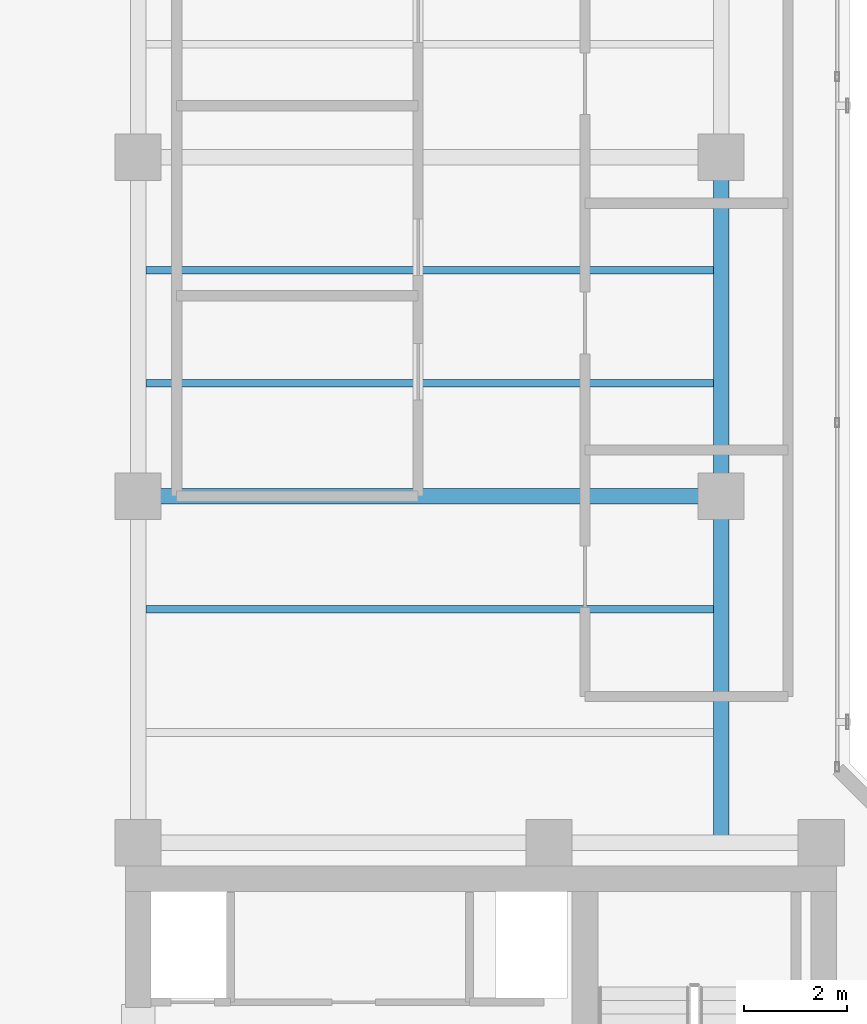
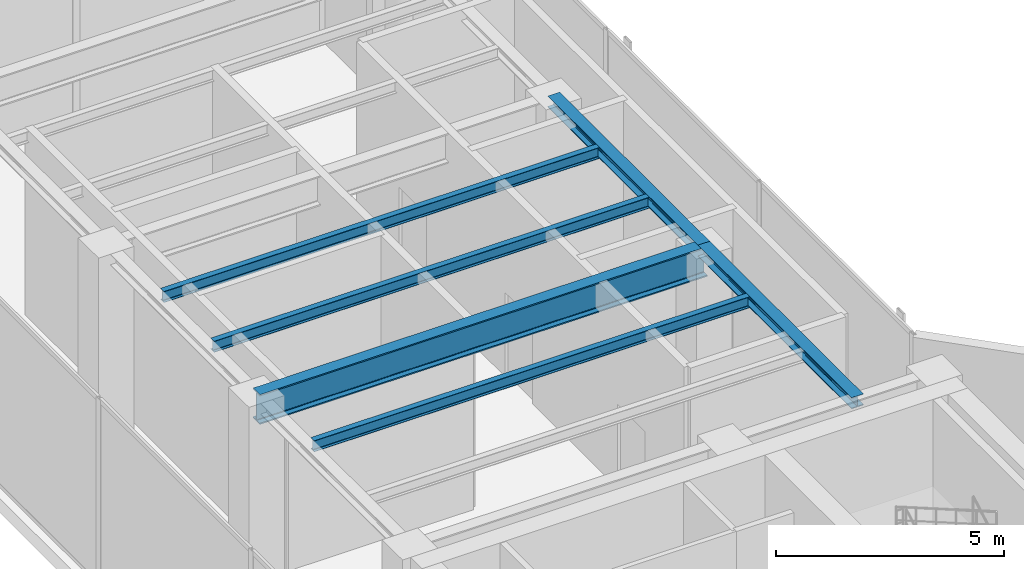
# One storey, part 13 of 29: 6 beams.
"""IFC4 building model written with IfcOpenShell, lengths in metres."""

from ifc_helpers import new_model, si_unit, direction, frame, origin, origin_2d, place, context, subcontext, project, spatial, i_section, extrude, material, material_profile, profile_set, type_object, element, save


model = new_model("IFC4")

# Units and contexts
model_context = context("Model", 3, precision=1e-05, world=origin(), true_north=direction((0.0, 1.0)))
body_context = subcontext(model_context, "Body", "Model", "MODEL_VIEW")
ifc_project = project(units=[si_unit("LENGTHUNIT", "METRE"), si_unit("AREAUNIT", "SQUARE_METRE"), si_unit("VOLUMEUNIT", "CUBIC_METRE"), si_unit("PLANEANGLEUNIT", "RADIAN"), si_unit("MASSUNIT", "GRAM", prefix="KILO")], contexts=[model_context])

# Site, building, storey
site_placement = place(None, origin())
site = spatial("IfcSite", under=ifc_project, at=site_placement, CompositionType="ELEMENT")
building_placement = place(site_placement, origin())
building = spatial("IfcBuilding", under=site, at=building_placement, Name="Kolvaren Waterfront Exchange", CompositionType="ELEMENT")
storey_placement = place(building_placement, frame((0.0, 0.0, 338.800048828125)))
storey = spatial("IfcBuildingStorey", under=building, at=storey_placement, Name="L87", CompositionType="ELEMENT", Elevation=338.800048828125)

# Beams
ifc_material = material(Name="Steel S355", Category="steel")
ifc_material_profile_1 = material_profile(ifc_material, i_section(OverallWidth=0.300048828125, OverallDepth=0.300048828125, WebThickness=0.010986328125, FlangeThickness=0.01904296875, FilletRadius=0.027099609375, at=origin_2d()), Name="HEB300")
ifc_profile_set_1 = profile_set([ifc_material_profile_1], Name="Steel S355")
beam_type_1 = type_object("IfcBeamType", Name="STR-BM-HEB300", PredefinedType="SPANDREL", material=ifc_profile_set_1)
beam_1_placement = place(storey_placement, frame((18.800048828125, 24.449951171875, 4.869873046875), z_axis=(0.0, 1.0, 0.0), x_axis=(-1.0, 0.0, 0.0)))
element("IfcBeam", 1, at=beam_1_placement, inside=storey, type_object=beam_type_1, Name="L87 north-arm edge beam 1", PredefinedType="SPANDREL", context=body_context, shape_type="SweptSolid", body=[
    extrude(i_section(OverallWidth=0.300048828125, OverallDepth=0.300048828125, WebThickness=0.010986328125, FlangeThickness=0.01904296875, FilletRadius=0.027099609375, at=origin_2d()), origin(), (0.0, 0.0, 1.0), 6.75),
])
beam_2_placement = place(storey_placement, frame((18.800048828125, 31.199951171875, 4.869873046875), z_axis=(0.0, 1.0, 0.0), x_axis=(-1.0, 0.0, 0.0)))
element("IfcBeam", 2, at=beam_2_placement, inside=storey, type_object=beam_type_1, Name="L87 north-arm edge beam 2", PredefinedType="SPANDREL", context=body_context, shape_type="SweptSolid", body=[
    extrude(i_section(OverallWidth=0.300048828125, OverallDepth=0.300048828125, WebThickness=0.010986328125, FlangeThickness=0.01904296875, FilletRadius=0.027099609375, at=origin_2d()), origin(), (0.0, 0.0, 1.0), 6.60009765625),
])
ifc_material_profile_2 = material_profile(ifc_material, i_section(OverallWidth=0.300048828125, OverallDepth=0.800048828125, WebThickness=0.017578125, FlangeThickness=0.032958984375, FilletRadius=0.030029296875, at=origin_2d()), Name="HEB800")
ifc_profile_set_2 = profile_set([ifc_material_profile_2], Name="Steel S355")
beam_type_2 = type_object("IfcBeamType", Name="STR-BM-HEB800", PredefinedType="BEAM", material=ifc_profile_set_2)
beam_3_placement = place(storey_placement, frame((7.449951171875, 31.199951171875, 4.619873046875), z_axis=(1.0, 0.0, 0.0), x_axis=(0.0, 1.0, 0.0)))
element("IfcBeam", 3, at=beam_3_placement, inside=storey, type_object=beam_type_2, Name="L87 north-arm girder 2", PredefinedType="BEAM", context=body_context, shape_type="SweptSolid", body=[
    extrude(i_section(OverallWidth=0.300048828125, OverallDepth=0.800048828125, WebThickness=0.017578125, FlangeThickness=0.032958984375, FilletRadius=0.030029296875, at=origin_2d()), origin(), (0.0, 0.0, 1.0), 11.35009765625),
])
ifc_material_profile_3 = material_profile(ifc_material, i_section(OverallWidth=0.14990234375, OverallDepth=0.300048828125, WebThickness=0.007080078125, FlangeThickness=0.0107421875, FilletRadius=0.014892578125, at=origin_2d()), Name="IPE300")
ifc_profile_set_3 = profile_set([ifc_material_profile_3], Name="Steel S355")
beam_type_3 = type_object("IfcBeamType", Name="STR-BM-IPE300", PredefinedType="JOIST", material=ifc_profile_set_3)
for number, where, z_axis, x_axis, name in (
    (4, (7.60205078125, 29.0, 4.869873046875), (1.0, 0.0, 0.0), (0.0, 1.0, 0.0), "L87 north-arm composite joist 2"),
    (5, (7.60205078125, 33.39990234375, 4.869873046875), (1.0, 0.0, 0.0), (0.0, 1.0, 0.0), "L87 north-arm composite joist 3"),
    (6, (7.60205078125, 35.60009765625, 4.869873046875), (1.0, 0.0, 0.0), (0.0, 1.0, 0.0), "L87 north-arm composite joist 4"),
):
    element("IfcBeam", number, at=place(storey_placement, frame(where, z_axis=z_axis, x_axis=x_axis)), inside=storey, type_object=beam_type_3, Name=name, PredefinedType="JOIST", context=body_context, shape_type="SweptSolid", body=[
        extrude(i_section(OverallWidth=0.14990234375, OverallDepth=0.300048828125, WebThickness=0.007080078125, FlangeThickness=0.0107421875, FilletRadius=0.014892578125, at=origin_2d()), origin(), (0.0, 0.0, 1.0), 11.0458984375),
    ])

save(model, "model.ifc")
